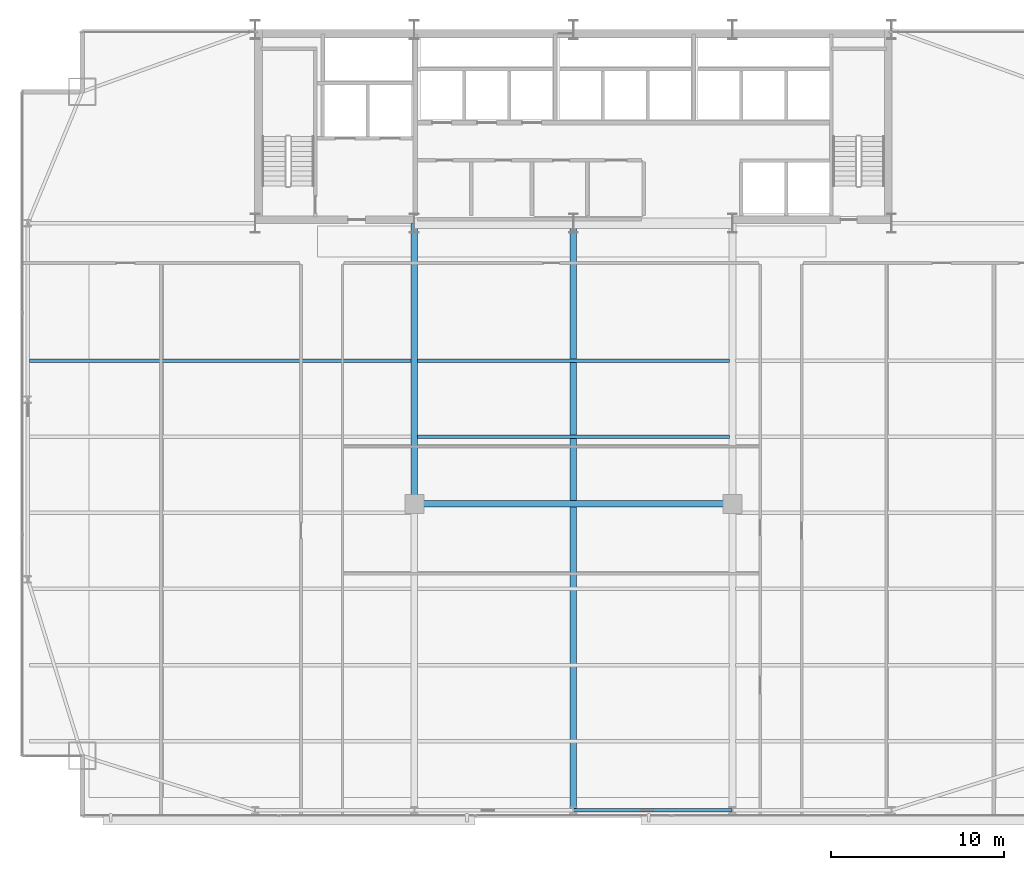
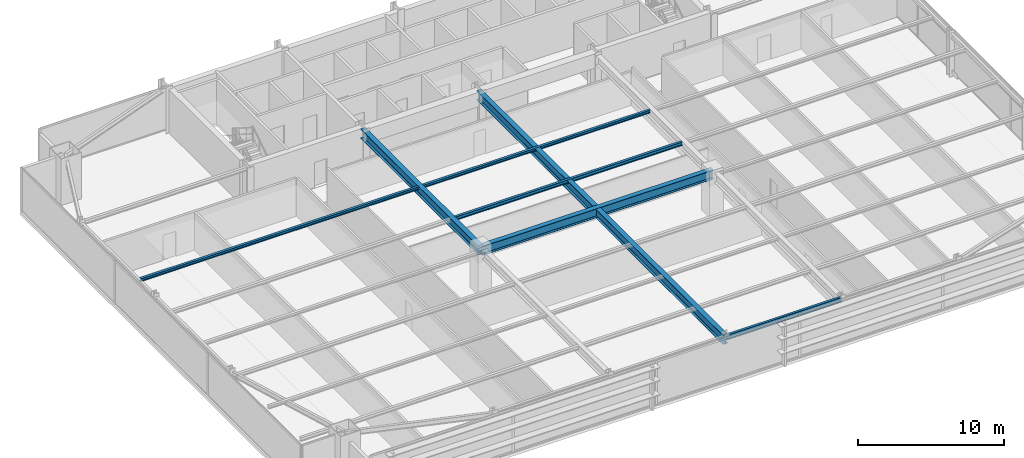
# One storey, part 11 of 32: 7 beams.
"""IFC4 building model written with IfcOpenShell, lengths in metres."""

import ifcopenshell
import ifcopenshell.guid

model = None  # the IFC model being written
_history = None  # IfcOwnerHistory: only IFC2X3 demands one
_inside = {}  # id of a spatial element -> (the spatial element, [elements in it])
_under = {}  # id of a project, library or spatial element -> (it, [spatial elements below it])
_declared = {}  # id of a project -> (the project, [libraries it declares])
_typed = {}  # id of a type object -> (the type object, [elements of that type])
_made_of = {}  # id of a material, layer set ... -> (it, [elements and type objects made of it])


def new_model(schema):
    """Start an empty IFC model of exactly this schema.

    Asked for "IFC4X3", IfcOpenShell would pick the latest addendum, in which some entities
    have other attributes; the version numbers below select the first issue.
    IFC2X3 requires an IfcOwnerHistory on every rooted entity: one is made here for all.
    """
    global model, _history
    if schema == "IFC4X3":
        model = ifcopenshell.file(schema_version=(4, 3, 0, 0))
    else:
        model = ifcopenshell.file(schema=schema)
    _inside.clear()
    _under.clear()
    _declared.clear()
    _typed.clear()
    _made_of.clear()
    _history = None
    if model.schema == "IFC2X3":
        org = make("IfcOrganization", Name="unknown")
        user = make(
            "IfcPersonAndOrganization",
            ThePerson=make("IfcPerson", FamilyName="unknown"),
            TheOrganization=org,
        )
        app = make(
            "IfcApplication",
            ApplicationDeveloper=org,
            Version="unknown",
            ApplicationFullName="unknown",
            ApplicationIdentifier="unknown",
        )
        _history = make(
            "IfcOwnerHistory",
            OwningUser=user,
            OwningApplication=app,
            ChangeAction="ADDED",
            CreationDate=0,
        )
    return model


def make(cls, **values):
    """One entity of the class cls with the attributes given. An attribute that is None is left unset."""
    return model.create_entity(
        cls, **{name: value for name, value in values.items() if value is not None}
    )


def rooted(cls, **values):
    """An entity with a GlobalId (a new one), such as an element, a storey or a relation."""
    return make(cls, GlobalId=ifcopenshell.guid.new(), OwnerHistory=_history, **values)


def si_unit(unit_type, name, prefix=None):
    """IfcSIUnit, for example si_unit("LENGTHUNIT", "METRE", prefix="MILLI")."""
    return make("IfcSIUnit", UnitType=unit_type, Prefix=prefix, Name=name)


def assignment(units):
    """IfcUnitAssignment: the units of a project."""
    return None if units is None else make("IfcUnitAssignment", Units=units)


def point(xyz):
    """IfcCartesianPoint."""
    return None if xyz is None else make("IfcCartesianPoint", Coordinates=xyz)


def direction(xyz):
    """IfcDirection."""
    return None if xyz is None else make("IfcDirection", DirectionRatios=xyz)


def frame(location, z_axis=None, x_axis=None):
    """IfcAxis2Placement3D, a coordinate frame: its origin and axes. An axis left out is left unset."""
    return make(
        "IfcAxis2Placement3D",
        Location=point(location),
        Axis=direction(z_axis),
        RefDirection=direction(x_axis),
    )


def frame_2d(location, x_axis=None):
    """IfcAxis2Placement2D, a coordinate frame in the plane: its origin and x axis."""
    return make(
        "IfcAxis2Placement2D", Location=point(location), RefDirection=direction(x_axis)
    )


def origin():
    """The frame at (0, 0, 0) with its axes left unset."""
    return frame((0.0, 0.0, 0.0))


def origin_2d():
    """The frame at (0, 0) in the plane with its x axis left unset."""
    return frame_2d((0.0, 0.0))


def place(relative_to, where):
    """IfcLocalPlacement: puts the frame where relative to a parent placement (None: the world)."""
    return make(
        "IfcLocalPlacement", PlacementRelTo=relative_to, RelativePlacement=where
    )


def context(
    kind, dimensions, precision=None, world=None, true_north=None, identifier=None
):
    """IfcGeometricRepresentationContext, for example the 3D "Model" context."""
    return make(
        "IfcGeometricRepresentationContext",
        ContextIdentifier=identifier,
        ContextType=kind,
        CoordinateSpaceDimension=dimensions,
        Precision=precision,
        WorldCoordinateSystem=world,
        TrueNorth=true_north,
    )


def subcontext(parent, identifier, kind, view, scale=None):
    """IfcGeometricRepresentationSubContext, for example "Body" below "Model"."""
    return make(
        "IfcGeometricRepresentationSubContext",
        ContextIdentifier=identifier,
        ContextType=kind,
        ParentContext=parent,
        TargetScale=scale,
        TargetView=view,
    )


def project(units=None, contexts=None):
    """IfcProject with its units and contexts."""
    return rooted(
        "IfcProject",
        Name="project",
        RepresentationContexts=contexts,
        UnitsInContext=assignment(units),
    )


def spatial(cls, under=None, at=None, **own):
    """A site, building, storey or space (cls), placed at a placement, below another one or the project."""
    s = rooted(cls, ObjectPlacement=at, **own)
    if under is not None:
        _under.setdefault(under.id(), (under, []))[1].append(s)
    return s


def profile(cls, at=None, kind="AREA", **sizes):
    """A parametric profile (cls). Its sizes go by their IFC names, for example OverallWidth=200.0."""
    return make(cls, ProfileType=kind, Position=at, **sizes)


def i_section(**sizes):
    """IfcIShapeProfileDef."""
    return profile("IfcIShapeProfileDef", **sizes)


def extrude(swept, where, along, depth):
    """IfcExtrudedAreaSolid: the profile swept, set in the frame where, extruded along a direction by depth."""
    return make(
        "IfcExtrudedAreaSolid",
        SweptArea=swept,
        Position=where,
        ExtrudedDirection=direction(along),
        Depth=depth,
    )


def shape(context_of_items, identifier, shape_type, items):
    """IfcShapeRepresentation: the items that make up one representation, for example the "Body"."""
    return make(
        "IfcShapeRepresentation",
        ContextOfItems=context_of_items,
        RepresentationIdentifier=identifier,
        RepresentationType=shape_type,
        Items=items,
    )


def source(mapping_origin, context_of_items, identifier, shape_type, items):
    """IfcRepresentationMap: a shape defined once, which mapped items show again and again."""
    return make(
        "IfcRepresentationMap",
        MappingOrigin=mapping_origin,
        MappedRepresentation=shape(context_of_items, identifier, shape_type, items),
    )


def transform(
    local_origin,
    x_axis=None,
    y_axis=None,
    z_axis=None,
    scale=None,
    scale2=None,
    scale3=None,
    uniform=True,
):
    """IfcCartesianTransformationOperator3D, or its non-uniform kind. x_axis, y_axis, z_axis: its Axis1, 2, 3."""
    if uniform:
        return make(
            "IfcCartesianTransformationOperator3D",
            Axis1=direction(x_axis),
            Axis2=direction(y_axis),
            LocalOrigin=point(local_origin),
            Scale=scale,
            Axis3=direction(z_axis),
        )
    return make(
        "IfcCartesianTransformationOperator3DnonUniform",
        Axis1=direction(x_axis),
        Axis2=direction(y_axis),
        LocalOrigin=point(local_origin),
        Scale=scale,
        Axis3=direction(z_axis),
        Scale2=scale2,
        Scale3=scale3,
    )


def mapped(mapping_source, mapping_target):
    """IfcMappedItem: shows the shape of a source again, moved by a transform."""
    return make(
        "IfcMappedItem", MappingSource=mapping_source, MappingTarget=mapping_target
    )


def material(Name=None, Category=None):
    """IfcMaterial."""
    return make("IfcMaterial", Name=Name, Category=Category)


def material_profile(
    of_material, cross_section, Name=None, Category=None, Priority=None
):
    """IfcMaterialProfile: a cross section and its material."""
    return make(
        "IfcMaterialProfile",
        Name=Name,
        Material=of_material,
        Profile=cross_section,
        Priority=Priority,
        Category=Category,
    )


def profile_set(profiles, Name=None, composite=None):
    """IfcMaterialProfileSet."""
    return make(
        "IfcMaterialProfileSet",
        Name=Name,
        MaterialProfiles=profiles,
        CompositeProfile=composite,
    )


def made_of(thing, what):
    """Note that an element or type object is made of a material, layer set ...; save() writes the relation."""
    if what is not None:
        _made_of.setdefault(what.id(), (what, []))[1].append(thing)
    return thing


def type_object(cls, material=None, **own):
    """A type object (cls), such as IfcWallType, which elements share."""
    return made_of(rooted(cls, **own), material)


def type_shapes(of_type, sources):
    """Give a type object the sources (RepresentationMaps) that its elements show as mapped items."""
    of_type.RepresentationMaps = sources


def element(
    cls,
    number,
    at=None,
    inside=None,
    cuts=None,
    type_object=None,
    material=None,
    context=None,
    identifier="Body",
    shape_type=None,
    held_by="IfcProductDefinitionShape",
    body=None,
    shapes=None,
    **own,
):
    """One element of the class cls, such as IfcWall. Its Tag is "e" and its number.

    at: its placement. inside: the storey or other place that contains it. cuts: it is an
    opening in that element (IfcRelVoidsElement). A single representation is given by context,
    identifier, shape_type and body (its items); several are given by shapes. held_by: the class
    of the entity that holds the representations. save() writes the other relations.
    """
    e = rooted(cls, Tag="e%d" % number, ObjectPlacement=at, **own)
    if body is not None:
        shapes = [shape(context, identifier, shape_type, body)]
    if shapes is not None:
        e.Representation = make(held_by, Representations=shapes)
    if inside is not None:
        _inside.setdefault(inside.id(), (inside, []))[1].append(e)
    if cuts is not None:
        rooted(
            "IfcRelVoidsElement", RelatingBuildingElement=cuts, RelatedOpeningElement=e
        )
    if type_object is not None:
        _typed.setdefault(type_object.id(), (type_object, []))[1].append(e)
    return made_of(e, material)


def aggregate(whole, parts):
    """IfcRelAggregates: a whole, such as a stair, and the parts it consists of."""
    return rooted("IfcRelAggregates", RelatingObject=whole, RelatedObjects=parts)


def save(model, path):
    """Write the relations noted so far, then the file.

    IfcRelAggregates (storeys below a building ...), IfcRelContainedInSpatialStructure (elements
    in a storey), IfcRelDefinesByType, IfcRelAssociatesMaterial and IfcRelDeclares: one each for
    every whole, place, type object, material and project.
    """
    for whole, parts in _under.values():
        aggregate(whole, parts)
    for where, things in _inside.values():
        rooted(
            "IfcRelContainedInSpatialStructure",
            RelatedElements=things,
            RelatingStructure=where,
        )
    for kind, things in _typed.values():
        rooted("IfcRelDefinesByType", RelatedObjects=things, RelatingType=kind)
    for what, things in _made_of.values():
        rooted("IfcRelAssociatesMaterial", RelatedObjects=things, RelatingMaterial=what)
    for by, libraries in _declared.values():
        rooted("IfcRelDeclares", RelatingContext=by, RelatedDefinitions=libraries)
    model.write(path)


model = new_model("IFC4")

# Units and contexts
model_context = context("Model", 3, precision=1e-05, world=origin(), true_north=direction((0.0, 1.0)))
body_context = subcontext(model_context, "Body", "Model", "MODEL_VIEW")
ifc_project = project(units=[si_unit("LENGTHUNIT", "METRE"), si_unit("AREAUNIT", "SQUARE_METRE"), si_unit("VOLUMEUNIT", "CUBIC_METRE"), si_unit("PLANEANGLEUNIT", "RADIAN"), si_unit("MASSUNIT", "GRAM", prefix="KILO")], contexts=[model_context])

# Site, building, storey
site_placement = place(None, origin())
site = spatial("IfcSite", under=ifc_project, at=site_placement, CompositionType="ELEMENT")
building_placement = place(site_placement, origin())
building = spatial("IfcBuilding", under=site, at=building_placement, Name="Varnel Quay Broadcast Tower", CompositionType="ELEMENT")
storey_placement = place(building_placement, frame((0.0, 0.0, 70.5)))
storey = spatial("IfcBuildingStorey", under=building, at=storey_placement, Name="L16", CompositionType="ELEMENT", Elevation=70.5)

# Beams
ifc_material = material(Name="Structural Steel CSA G40.21 350W", Category="steel")
ifc_material_profile_1 = material_profile(ifc_material, i_section(OverallWidth=0.180908203125, OverallDepth=0.4169921875, WebThickness=0.010986328125, FlangeThickness=0.018310546875, FilletRadius=0.011962890625, at=origin_2d()), Name="W410X85")
ifc_profile_set_1 = profile_set([ifc_material_profile_1], Name="Structural Steel CSA G40.21 350W")
beam_type_1 = type_object("IfcBeamType", Name="Beam_W410X85", PredefinedType="SPANDREL", material=ifc_profile_set_1)
shared_shape_1 = source(origin(), body_context, "Body", "SweptSolid", [
    extrude(i_section(OverallWidth=0.180908203125, OverallDepth=0.4169921875, WebThickness=0.010986328125, FlangeThickness=0.018310546875, FilletRadius=0.011962890625, at=origin_2d()), origin(), (0.0, 0.0, 1.0), 9.159912109375),
])
type_shapes(beam_type_1, [shared_shape_1])
beam_1_placement = place(storey_placement, frame((34.02001953125, 1.64990234375, 3.44140625), z_axis=(1.0, 0.0, 0.0), x_axis=(0.0, 1.0, 0.0)))
element("IfcBeam", 1, at=beam_1_placement, inside=storey, type_object=beam_type_1, Name="L16 South Spandrel TC-S3-TC-S4", PredefinedType="SPANDREL", context=body_context, shape_type="MappedRepresentation", body=[
    mapped(shared_shape_1, transform((0.0, 0.0, 0.0), x_axis=(1.0, 0.0, 0.0), y_axis=(0.0, 1.0, 0.0), z_axis=(0.0, 0.0, 1.0), scale=1.0)),
])
ifc_material_profile_2 = material_profile(ifc_material, i_section(OverallWidth=0.381103515625, OverallDepth=0.77294921875, WebThickness=0.0166015625, FlangeThickness=0.027587890625, FilletRadius=0.01806640625, at=origin_2d()), Name="W760X257")
ifc_profile_set_2 = profile_set([ifc_material_profile_2], Name="Structural Steel CSA G40.21 350W")
beam_type_2 = type_object("IfcBeamType", Name="Girder_W760X257", PredefinedType="BEAM", material=ifc_profile_set_2)
shared_shape_2 = source(origin(), body_context, "Body", "SweptSolid", [
    extrude(i_section(OverallWidth=0.381103515625, OverallDepth=0.77294921875, WebThickness=0.0166015625, FlangeThickness=0.027587890625, FilletRadius=0.01806640625, at=origin_2d()), origin(), (0.0, 0.0, 1.0), 16.190185546875),
])
beam_2_placement = place(storey_placement, frame((24.800048828125, 19.389892578125, 3.263427734375), z_axis=(0.0, 1.0, 0.0), x_axis=(-1.0, 0.0, 0.0)))
element("IfcBeam", 2, at=beam_2_placement, inside=storey, type_object=beam_type_2, Name="L16 Primary Girder IC-01-CC-S2", PredefinedType="BEAM", context=body_context, shape_type="MappedRepresentation", body=[
    mapped(shared_shape_2, transform((0.0, 0.0, 0.0), x_axis=(1.0, 0.0, 0.0), y_axis=(0.0, 1.0, 0.0), z_axis=(0.0, 0.0, 1.0), scale=1.0)),
])
shared_shape_3 = source(origin(), body_context, "Body", "SweptSolid", [
    extrude(i_section(OverallWidth=0.381103515625, OverallDepth=0.77294921875, WebThickness=0.0166015625, FlangeThickness=0.027587890625, FilletRadius=0.01806640625, at=origin_2d()), origin(), (0.0, 0.0, 1.0), 18.35986328125),
])
beam_3_placement = place(storey_placement, frame((24.820068359375, 19.3701171875, 3.263427734375), z_axis=(1.0, 0.0, 0.0), x_axis=(0.0, 1.0, 0.0)))
element("IfcBeam", 3, at=beam_3_placement, inside=storey, type_object=beam_type_2, Name="L16 Interior Spine Girder", PredefinedType="BEAM", context=body_context, shape_type="MappedRepresentation", body=[
    mapped(shared_shape_3, transform((0.0, 0.0, 0.0), x_axis=(1.0, 0.0, 0.0), y_axis=(0.0, 1.0, 0.0), z_axis=(0.0, 0.0, 1.0), scale=1.0)),
])
shared_shape_4 = source(origin(), body_context, "Body", "SweptSolid", [
    extrude(i_section(OverallWidth=0.381103515625, OverallDepth=0.77294921875, WebThickness=0.0166015625, FlangeThickness=0.027587890625, FilletRadius=0.01806640625, at=origin_2d()), origin(), (0.0, 0.0, 1.0), 33.91015625),
])
type_shapes(beam_type_2, [shared_shape_2, shared_shape_3, shared_shape_4])
beam_4_placement = place(storey_placement, frame((34.0, 1.669921875, 3.263427734375), z_axis=(0.0, 1.0, 0.0), x_axis=(-1.0, 0.0, 0.0)))
element("IfcBeam", 4, at=beam_4_placement, inside=storey, type_object=beam_type_2, Name="L16 Central Bay Girder", PredefinedType="BEAM", context=body_context, shape_type="MappedRepresentation", body=[
    mapped(shared_shape_4, transform((0.0, 0.0, 0.0), x_axis=(1.0, 0.0, 0.0), y_axis=(0.0, 1.0, 0.0), z_axis=(0.0, 0.0, 1.0), scale=1.0)),
])
ifc_material_profile_3 = material_profile(ifc_material, i_section(OverallWidth=0.202880859375, OverallDepth=0.302978515625, WebThickness=0.007568359375, FlangeThickness=0.01318359375, FilletRadius=0.011962890625, at=origin_2d()), Name="W310X60")
ifc_profile_set_3 = profile_set([ifc_material_profile_3], Name="Structural Steel CSA G40.21 350W")
beam_type_3 = type_object("IfcBeamType", Name="Beam_W310X60", PredefinedType="JOIST", material=ifc_profile_set_3)
shared_shape_5 = source(origin(), body_context, "Body", "SweptSolid", [
    extrude(i_section(OverallWidth=0.202880859375, OverallDepth=0.302978515625, WebThickness=0.007568359375, FlangeThickness=0.01318359375, FilletRadius=0.011962890625, at=origin_2d()), origin(), (0.0, 0.0, 1.0), 18.02880859375),
])
type_shapes(beam_type_3, [shared_shape_5])
beam_5_placement = place(storey_placement, frame((24.985595703125, 23.25, 3.49853515625), z_axis=(1.0, 0.0, 0.0), x_axis=(0.0, 1.0, 0.0)))
element("IfcBeam", 5, at=beam_5_placement, inside=storey, type_object=beam_type_3, Name="L16 Central Floor Joist 5", PredefinedType="JOIST", context=body_context, shape_type="MappedRepresentation", body=[
    mapped(shared_shape_5, transform((0.0, 0.0, 0.0), x_axis=(1.0, 0.0, 0.0), y_axis=(0.0, 1.0, 0.0), z_axis=(0.0, 0.0, 1.0), scale=1.0)),
])
ifc_material_profile_4 = material_profile(ifc_material, i_section(OverallWidth=0.201904296875, OverallDepth=0.2470703125, WebThickness=0.00732421875, FlangeThickness=0.010986328125, FilletRadius=0.010986328125, at=origin_2d()), Name="W250X49")
ifc_profile_set_4 = profile_set([ifc_material_profile_4], Name="Structural Steel CSA G40.21 350W")
beam_type_4 = type_object("IfcBeamType", Name="Beam_W250X49", PredefinedType="JOIST", material=ifc_profile_set_4)
shared_shape_6 = source(origin(), body_context, "Body", "SweptSolid", [
    extrude(i_section(OverallWidth=0.201904296875, OverallDepth=0.2470703125, WebThickness=0.00732421875, FlangeThickness=0.010986328125, FilletRadius=0.010986328125, at=origin_2d()), origin(), (0.0, 0.0, 1.0), 22.0791015625),
])
beam_6_placement = place(storey_placement, frame((2.535400390625, 27.64990234375, 3.526611328125), z_axis=(1.0, 0.0, 0.0), x_axis=(0.0, 1.0, 0.0)))
element("IfcBeam", 6, at=beam_6_placement, inside=storey, type_object=beam_type_4, Name="L16 West Floor Joist 6", PredefinedType="JOIST", context=body_context, shape_type="MappedRepresentation", body=[
    mapped(shared_shape_6, transform((0.0, 0.0, 0.0), x_axis=(1.0, 0.0, 0.0), y_axis=(0.0, 1.0, 0.0), z_axis=(0.0, 0.0, 1.0), scale=1.0)),
])
shared_shape_7 = source(origin(), body_context, "Body", "SweptSolid", [
    extrude(i_section(OverallWidth=0.201904296875, OverallDepth=0.2470703125, WebThickness=0.00732421875, FlangeThickness=0.010986328125, FilletRadius=0.010986328125, at=origin_2d()), origin(), (0.0, 0.0, 1.0), 18.02880859375),
])
type_shapes(beam_type_4, [shared_shape_6, shared_shape_7])
beam_7_placement = place(storey_placement, frame((24.985595703125, 27.64990234375, 3.526611328125), z_axis=(1.0, 0.0, 0.0), x_axis=(0.0, 1.0, 0.0)))
element("IfcBeam", 7, at=beam_7_placement, inside=storey, type_object=beam_type_4, Name="L16 Central Floor Joist 6", PredefinedType="JOIST", context=body_context, shape_type="MappedRepresentation", body=[
    mapped(shared_shape_7, transform((0.0, 0.0, 0.0), x_axis=(1.0, 0.0, 0.0), y_axis=(0.0, 1.0, 0.0), z_axis=(0.0, 0.0, 1.0), scale=1.0)),
])

save(model, "model.ifc")
